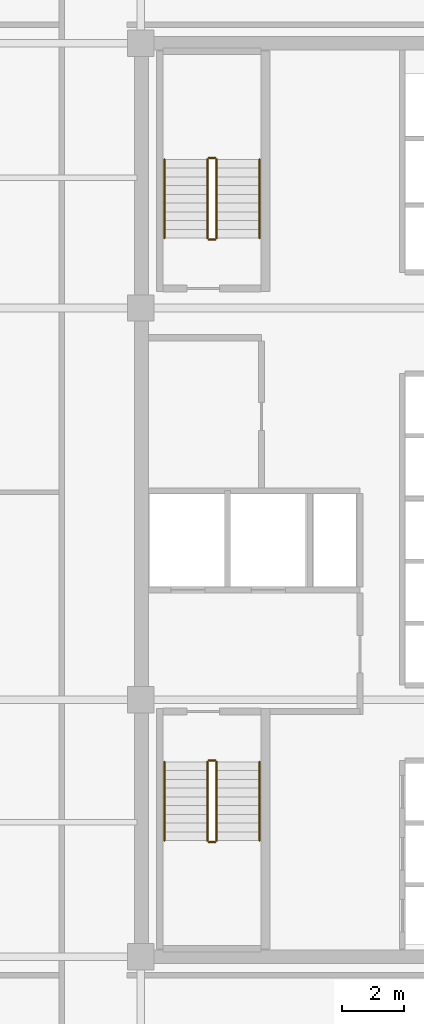
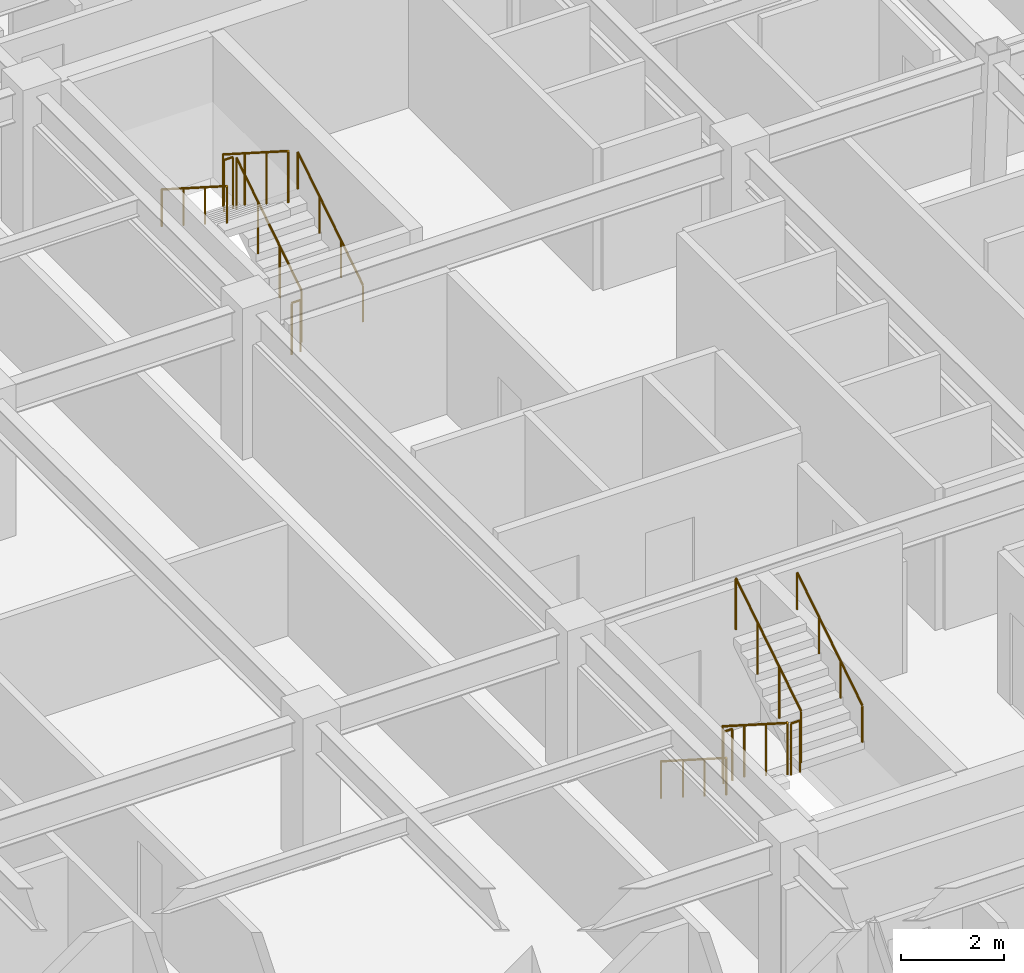
# One storey, part 12 of 12: 12 railings.
"""IFC4 building model written with IfcOpenShell, lengths in metres."""

from ifc_helpers import new_model, si_unit, direction, frame, origin, origin_2d, place, context, subcontext, project, spatial, circle, extrude, material, type_object, element, save


model = new_model("IFC4")

# Units and contexts
model_context = context("Model", 3, precision=1e-05, world=origin(), true_north=direction((0.0, 1.0)))
body_context = subcontext(model_context, "Body", "Model", "MODEL_VIEW")
ifc_project = project(units=[si_unit("LENGTHUNIT", "METRE"), si_unit("AREAUNIT", "SQUARE_METRE"), si_unit("VOLUMEUNIT", "CUBIC_METRE"), si_unit("PLANEANGLEUNIT", "RADIAN"), si_unit("MASSUNIT", "GRAM", prefix="KILO")], contexts=[model_context])

# Site, building, storey
site_placement = place(None, origin())
site = spatial("IfcSite", under=ifc_project, at=site_placement, CompositionType="ELEMENT")
building_placement = place(site_placement, origin())
building = spatial("IfcBuilding", under=site, at=building_placement, Name="Ochreholt Gables", CompositionType="ELEMENT")
storey_placement = place(building_placement, frame((0.0, 0.0, 24.0)))
storey = spatial("IfcBuildingStorey", under=building, at=storey_placement, Name="L05", CompositionType="ELEMENT", Elevation=24.0)

# Railings
ifc_material_1 = material(Name="Painted Steel Stair Guardrail", Category="steel")
railing_type_1 = type_object("IfcRailingType", Name="RL-ST-GUARD", PredefinedType="GUARDRAIL", material=ifc_material_1)
railing_1_placement = place(storey_placement, frame((26.35009765625, 15.5400390625, 0.179931640625)))
element("IfcRailing", 1, at=railing_1_placement, inside=storey, type_object=railing_type_1, Name="L05 ST-1 stair guard 1", PredefinedType="GUARDRAIL", context=body_context, shape_type="SweptSolid", body=[
    extrude(circle(Radius=0.02392578125, at=origin_2d()), frame((0.0, 0.0, 1.22607421875), z_axis=(0.0, -0.842912820907, 0.538050161556), x_axis=(1.0, 0.0, 0.0)), (0.0, 0.0, 1.0), 3.010986328125),
    extrude(circle(Radius=0.02099609375, at=origin_2d()), origin(), (0.0, 0.0, 1.0), 1.201904296875),
    extrude(circle(Radius=0.02099609375, at=origin_2d()), frame((0.0, -0.845947265625, 0.5400390625)), (0.0, 0.0, 1.0), 1.201904296875),
    extrude(circle(Radius=0.02099609375, at=origin_2d()), frame((0.0, -1.692138671875, 1.080078125)), (0.0, 0.0, 1.0), 1.201904296875),
    extrude(circle(Radius=0.02099609375, at=origin_2d()), frame((0.0, -2.5380859375, 1.6201171875)), (0.0, 0.0, 1.0), 1.201904296875),
])
railing_2_placement = place(storey_placement, frame((26.39990234375, 12.951904296875, 1.800048828125)))
element("IfcRailing", 2, at=railing_2_placement, inside=storey, type_object=railing_type_1, Name="L05 ST-1 stair guard 2", PredefinedType="GUARDRAIL", context=body_context, shape_type="SweptSolid", body=[
    extrude(circle(Radius=0.02392578125, at=origin_2d()), frame((0.0, 0.0, 1.22607421875), z_axis=(1.0, 0.0, 0.0), x_axis=(0.0, 1.0, 0.0)), (0.0, 0.0, 1.0), 0.2001953125),
    extrude(circle(Radius=0.02099609375, at=origin_2d()), origin(), (0.0, 0.0, 1.0), 1.201904296875),
    extrude(circle(Radius=0.02099609375, at=origin_2d()), frame((0.2001953125, 0.0, 0.0)), (0.0, 0.0, 1.0), 1.201904296875),
])
railing_3_placement = place(storey_placement, frame((26.64990234375, 13.001953125, 1.97998046875)))
element("IfcRailing", 3, at=railing_3_placement, inside=storey, type_object=railing_type_1, Name="L05 ST-1 stair guard 3", PredefinedType="GUARDRAIL", context=body_context, shape_type="SweptSolid", body=[
    extrude(circle(Radius=0.02392578125, at=origin_2d()), frame((0.0, 0.0, 1.22607421875), z_axis=(0.0, 0.842912820907, 0.538050161556), x_axis=(-1.0, 0.0, 0.0)), (0.0, 0.0, 1.0), 3.010986328125),
    extrude(circle(Radius=0.02099609375, at=origin_2d()), origin(), (0.0, 0.0, 1.0), 1.201904296875),
    extrude(circle(Radius=0.02099609375, at=origin_2d()), frame((0.0, 0.845947265625, 0.5400390625)), (0.0, 0.0, 1.0), 1.201904296875),
    extrude(circle(Radius=0.02099609375, at=origin_2d()), frame((0.0, 1.692138671875, 1.080078125)), (0.0, 0.0, 1.0), 1.201904296875),
    extrude(circle(Radius=0.02099609375, at=origin_2d()), frame((0.0, 2.5380859375, 1.6201171875)), (0.0, 0.0, 1.0), 1.201904296875),
])
railing_4_placement = place(storey_placement, frame((26.39990234375, 15.590087890625, 0.0)))
element("IfcRailing", 4, at=railing_4_placement, inside=storey, type_object=railing_type_1, Name="L05 ST-1 stair guard 4", PredefinedType="GUARDRAIL", context=body_context, shape_type="SweptSolid", body=[
    extrude(circle(Radius=0.02392578125, at=origin_2d()), frame((0.0, 0.0, 1.22607421875), z_axis=(1.0, 0.0, 0.0), x_axis=(0.0, 1.0, 0.0)), (0.0, 0.0, 1.0), 0.2001953125),
    extrude(circle(Radius=0.02099609375, at=origin_2d()), origin(), (0.0, 0.0, 1.0), 1.201904296875),
    extrude(circle(Radius=0.02099609375, at=origin_2d()), frame((0.2001953125, 0.0, 0.0)), (0.0, 0.0, 1.0), 1.201904296875),
])
railing_5_placement = place(storey_placement, frame((26.64990234375, 32.4599609375, 0.179931640625)))
element("IfcRailing", 5, at=railing_5_placement, inside=storey, type_object=railing_type_1, Name="L05 ST-2 stair guard 1", PredefinedType="GUARDRAIL", context=body_context, shape_type="SweptSolid", body=[
    extrude(circle(Radius=0.02392578125, at=origin_2d()), frame((0.0, 0.0, 1.22607421875), z_axis=(0.0, 0.842912820907, 0.538050161556), x_axis=(-1.0, 0.0, 0.0)), (0.0, 0.0, 1.0), 3.010986328125),
    extrude(circle(Radius=0.02099609375, at=origin_2d()), origin(), (0.0, 0.0, 1.0), 1.201904296875),
    extrude(circle(Radius=0.02099609375, at=origin_2d()), frame((0.0, 0.845947265625, 0.5400390625)), (0.0, 0.0, 1.0), 1.201904296875),
    extrude(circle(Radius=0.02099609375, at=origin_2d()), frame((0.0, 1.692138671875, 1.080078125)), (0.0, 0.0, 1.0), 1.201904296875),
    extrude(circle(Radius=0.02099609375, at=origin_2d()), frame((0.0, 2.5380859375, 1.6201171875)), (0.0, 0.0, 1.0), 1.201904296875),
])
railing_6_placement = place(storey_placement, frame((26.60009765625, 35.048095703125, 1.800048828125)))
element("IfcRailing", 6, at=railing_6_placement, inside=storey, type_object=railing_type_1, Name="L05 ST-2 stair guard 2", PredefinedType="GUARDRAIL", context=body_context, shape_type="SweptSolid", body=[
    extrude(circle(Radius=0.02392578125, at=origin_2d()), frame((0.0, 0.0, 1.22607421875), z_axis=(-1.0, 0.0, 0.0), x_axis=(0.0, -1.0, 0.0)), (0.0, 0.0, 1.0), 0.2001953125),
    extrude(circle(Radius=0.02099609375, at=origin_2d()), origin(), (0.0, 0.0, 1.0), 1.201904296875),
    extrude(circle(Radius=0.02099609375, at=origin_2d()), frame((-0.2001953125, 0.0, 0.0)), (0.0, 0.0, 1.0), 1.201904296875),
])
railing_7_placement = place(storey_placement, frame((26.35009765625, 34.998046875, 1.97998046875)))
element("IfcRailing", 7, at=railing_7_placement, inside=storey, type_object=railing_type_1, Name="L05 ST-2 stair guard 3", PredefinedType="GUARDRAIL", context=body_context, shape_type="SweptSolid", body=[
    extrude(circle(Radius=0.02392578125, at=origin_2d()), frame((0.0, 0.0, 1.22607421875), z_axis=(0.0, -0.842912820907, 0.538050161556), x_axis=(1.0, 0.0, 0.0)), (0.0, 0.0, 1.0), 3.010986328125),
    extrude(circle(Radius=0.02099609375, at=origin_2d()), origin(), (0.0, 0.0, 1.0), 1.201904296875),
    extrude(circle(Radius=0.02099609375, at=origin_2d()), frame((0.0, -0.845947265625, 0.5400390625)), (0.0, 0.0, 1.0), 1.201904296875),
    extrude(circle(Radius=0.02099609375, at=origin_2d()), frame((0.0, -1.692138671875, 1.080078125)), (0.0, 0.0, 1.0), 1.201904296875),
    extrude(circle(Radius=0.02099609375, at=origin_2d()), frame((0.0, -2.5380859375, 1.6201171875)), (0.0, 0.0, 1.0), 1.201904296875),
])
railing_8_placement = place(storey_placement, frame((26.60009765625, 32.409912109375, 0.0)))
element("IfcRailing", 8, at=railing_8_placement, inside=storey, type_object=railing_type_1, Name="L05 ST-2 stair guard 4", PredefinedType="GUARDRAIL", context=body_context, shape_type="SweptSolid", body=[
    extrude(circle(Radius=0.02392578125, at=origin_2d()), frame((0.0, 0.0, 1.22607421875), z_axis=(-1.0, 0.0, 0.0), x_axis=(0.0, -1.0, 0.0)), (0.0, 0.0, 1.0), 0.2001953125),
    extrude(circle(Radius=0.02099609375, at=origin_2d()), origin(), (0.0, 0.0, 1.0), 1.201904296875),
    extrude(circle(Radius=0.02099609375, at=origin_2d()), frame((-0.2001953125, 0.0, 0.0)), (0.0, 0.0, 1.0), 1.201904296875),
])
ifc_material_2 = material(Name="Brushed Stainless Steel Wall Handrail", Category="steel")
railing_type_2 = type_object("IfcRailingType", Name="RL-ST-HAND", PredefinedType="HANDRAIL", material=ifc_material_2)
railing_9_placement = place(storey_placement, frame((24.969970703125, 15.5400390625, 0.179931640625)))
element("IfcRailing", 9, at=railing_9_placement, inside=storey, type_object=railing_type_2, Name="L05 ST-1 stair handrail 1", PredefinedType="HANDRAIL", context=body_context, shape_type="SweptSolid", body=[
    extrude(circle(Radius=0.02392578125, at=origin_2d()), frame((0.0, 0.0, 0.8759765625), z_axis=(0.0, -0.842912820907, 0.538050161556), x_axis=(1.0, 0.0, 0.0)), (0.0, 0.0, 1.0), 3.010986328125),
    extrude(circle(Radius=0.02099609375, at=origin_2d()), origin(), (0.0, 0.0, 1.0), 0.851806640625),
    extrude(circle(Radius=0.02099609375, at=origin_2d()), frame((0.0, -0.845947265625, 0.5400390625)), (0.0, 0.0, 1.0), 0.851806640625),
    extrude(circle(Radius=0.02099609375, at=origin_2d()), frame((0.0, -1.692138671875, 1.080078125)), (0.0, 0.0, 1.0), 0.851806640625),
    extrude(circle(Radius=0.02099609375, at=origin_2d()), frame((0.0, -2.5380859375, 1.6201171875)), (0.0, 0.0, 1.0), 0.851806640625),
])
for number, where, name in (
    (10, (28.030029296875, 13.001953125, 1.97998046875), "L05 ST-1 stair handrail 2"),
    (11, (28.030029296875, 32.4599609375, 0.179931640625), "L05 ST-2 stair handrail 1"),
):
    element("IfcRailing", number, at=place(storey_placement, frame(where)), inside=storey, type_object=railing_type_2, Name=name, PredefinedType="HANDRAIL", context=body_context, shape_type="SweptSolid", body=[
        extrude(circle(Radius=0.02392578125, at=origin_2d()), frame((0.0, 0.0, 0.8759765625), z_axis=(0.0, 0.842912820907, 0.538050161556), x_axis=(-1.0, 0.0, 0.0)), (0.0, 0.0, 1.0), 3.010986328125),
        extrude(circle(Radius=0.02099609375, at=origin_2d()), origin(), (0.0, 0.0, 1.0), 0.851806640625),
        extrude(circle(Radius=0.02099609375, at=origin_2d()), frame((0.0, 0.845947265625, 0.5400390625)), (0.0, 0.0, 1.0), 0.851806640625),
        extrude(circle(Radius=0.02099609375, at=origin_2d()), frame((0.0, 1.692138671875, 1.080078125)), (0.0, 0.0, 1.0), 0.851806640625),
        extrude(circle(Radius=0.02099609375, at=origin_2d()), frame((0.0, 2.5380859375, 1.6201171875)), (0.0, 0.0, 1.0), 0.851806640625),
    ])
railing_10_placement = place(storey_placement, frame((24.969970703125, 34.998046875, 1.97998046875)))
element("IfcRailing", 12, at=railing_10_placement, inside=storey, type_object=railing_type_2, Name="L05 ST-2 stair handrail 2", PredefinedType="HANDRAIL", context=body_context, shape_type="SweptSolid", body=[
    extrude(circle(Radius=0.02392578125, at=origin_2d()), frame((0.0, 0.0, 0.8759765625), z_axis=(0.0, -0.842912820907, 0.538050161556), x_axis=(1.0, 0.0, 0.0)), (0.0, 0.0, 1.0), 3.010986328125),
    extrude(circle(Radius=0.02099609375, at=origin_2d()), origin(), (0.0, 0.0, 1.0), 0.851806640625),
    extrude(circle(Radius=0.02099609375, at=origin_2d()), frame((0.0, -0.845947265625, 0.5400390625)), (0.0, 0.0, 1.0), 0.851806640625),
    extrude(circle(Radius=0.02099609375, at=origin_2d()), frame((0.0, -1.692138671875, 1.080078125)), (0.0, 0.0, 1.0), 0.851806640625),
    extrude(circle(Radius=0.02099609375, at=origin_2d()), frame((0.0, -2.5380859375, 1.6201171875)), (0.0, 0.0, 1.0), 0.851806640625),
])

save(model, "model.ifc")
